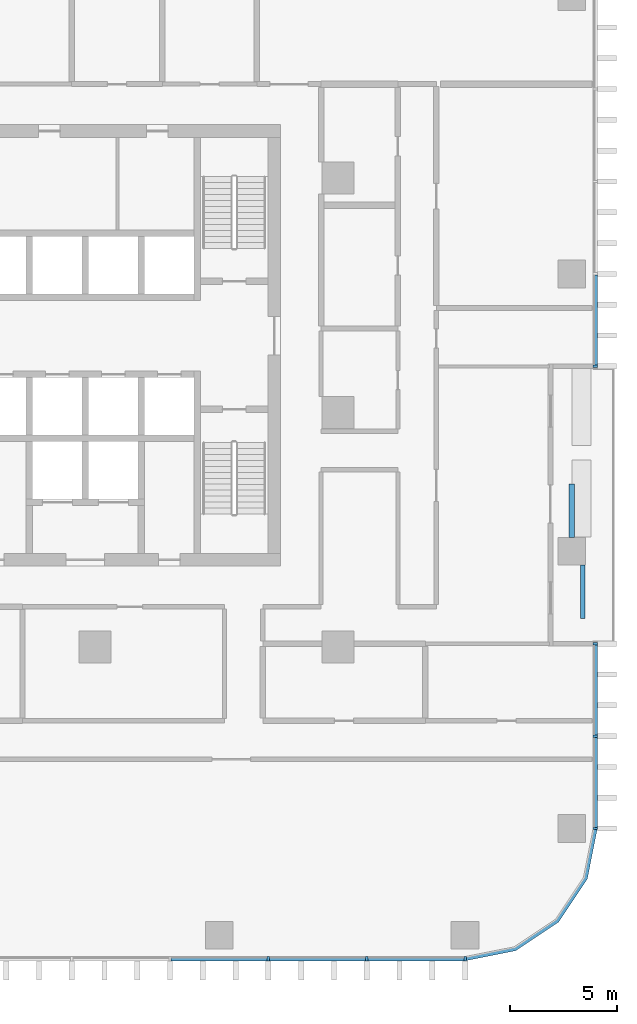
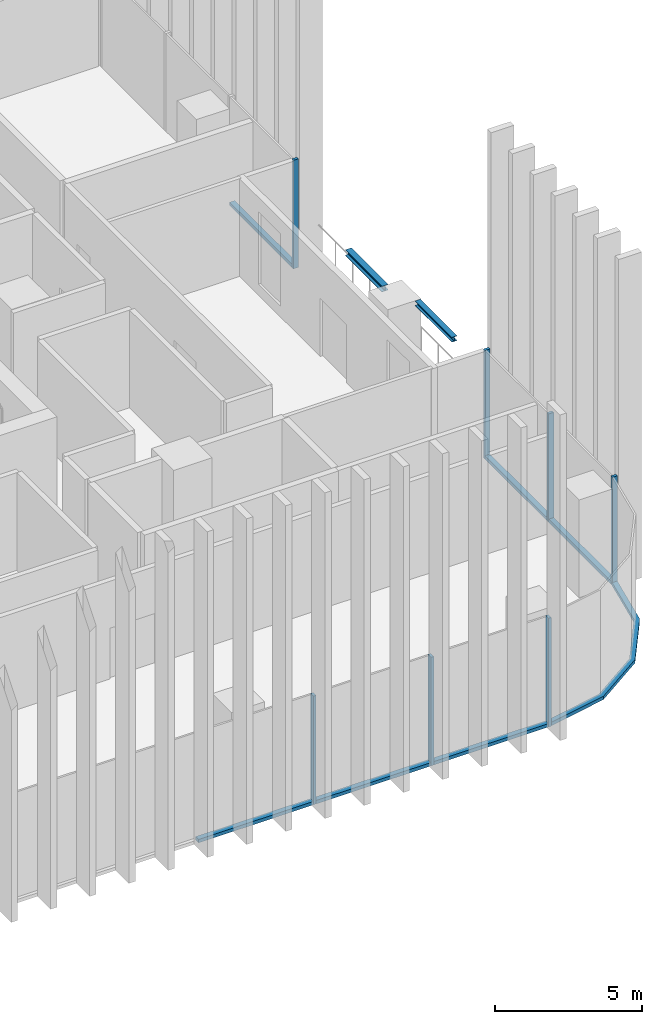
# One storey, part 3 of 17: 14 members, 2 beams, 4 elements without a shape of their own.
"""IFC4 building model written with IfcOpenShell, lengths in metres."""

from ifc_helpers import new_model, si_unit, direction, frame, origin, origin_2d, place, context, subcontext, project, spatial, polyline, rectangle, i_section, outline, extrude, material, material_profile, profile_set, type_object, element, aggregate, save


model = new_model("IFC4")

# Units and contexts
model_context = context("Model", 3, precision=1e-05, world=origin(), true_north=direction((0.0, 1.0)))
body_context = subcontext(model_context, "Body", "Model", "MODEL_VIEW")
ifc_project = project(units=[si_unit("LENGTHUNIT", "METRE"), si_unit("AREAUNIT", "SQUARE_METRE"), si_unit("VOLUMEUNIT", "CUBIC_METRE"), si_unit("PLANEANGLEUNIT", "RADIAN"), si_unit("MASSUNIT", "GRAM", prefix="KILO")], contexts=[model_context])

# Site, building, storey
site_placement = place(None, origin())
site = spatial("IfcSite", under=ifc_project, at=site_placement, CompositionType="ELEMENT")
building_placement = place(site_placement, origin())
building = spatial("IfcBuilding", under=site, at=building_placement, Name="Mopane Tessera Tower", CompositionType="ELEMENT")
storey_placement = place(building_placement, frame((0.0, 0.0, 121.60009765625)))
storey = spatial("IfcBuildingStorey", under=building, at=storey_placement, Name="L24", CompositionType="ELEMENT", Elevation=121.60009765625)

# Curtain wall, members
ifc_material_1 = material(Name="Aluminium frame", Category="aluminium")
curtain_wall_type = type_object("IfcCurtainWallType", Name="Lower tower unitised wall", PredefinedType="NOTDEFINED", material=ifc_material_1)
curtain_wall_1_placement = place(storey_placement, origin())
curtain_wall_1 = element("IfcCurtainWall", 1, at=curtain_wall_1_placement, inside=storey, type_object=curtain_wall_type, Name="e:cw:L24:S:4", PredefinedType="NOTDEFINED")
ifc_material_2 = material(Name="Aluminium frame", Category="aluminium")
ifc_material_profile_1 = material_profile(ifc_material_2, rectangle(XDim=0.110107421875, YDim=0.199951171875, at=origin_2d()))
ifc_profile_set_1 = profile_set([ifc_material_profile_1], Name="Aluminium frame")
member_type_1 = type_object("IfcMemberType", Name="Aluminium mullion 110 x 200", PredefinedType="MULLION", material=ifc_profile_set_1)
member_1_placement = place(storey_placement, frame((13.830078125, -25.60009765625, -0.4501953125), z_axis=(0.0, 0.0, 1.0), x_axis=(1.0, 0.0, 0.0)))
member_1 = element("IfcMember", 2, at=member_1_placement, type_object=member_type_1, Name="e:cw:L24:S:4:mu8", PredefinedType="MULLION", context=body_context, shape_type="SweptSolid", body=[
    extrude(rectangle(XDim=0.110107421875, YDim=0.199951171875, at=origin_2d()), origin(), (0.0, 0.0, 1.0), 4.5),
])
member_2_placement = place(storey_placement, frame((18.43994140625, -25.60009765625, -0.4501953125), z_axis=(0.0, 0.0, 1.0), x_axis=(1.0, 0.0, 0.0)))
member_2 = element("IfcMember", 3, at=member_2_placement, type_object=member_type_1, Name="e:cw:L24:S:4:mu9", PredefinedType="MULLION", context=body_context, shape_type="SweptSolid", body=[
    extrude(rectangle(XDim=0.110107421875, YDim=0.199951171875, at=origin_2d()), origin(), (0.0, 0.0, 1.0), 4.5),
])
member_3_placement = place(storey_placement, frame((23.050048828125, -25.60009765625, -0.4501953125), z_axis=(0.0, 0.0, 1.0), x_axis=(1.0, 0.0, 0.0)))
member_3 = element("IfcMember", 4, at=member_3_placement, type_object=member_type_1, Name="e:cw:L24:S:4:mu10", PredefinedType="MULLION", context=body_context, shape_type="SweptSolid", body=[
    extrude(rectangle(XDim=0.110107421875, YDim=0.199951171875, at=origin_2d()), origin(), (0.0, 0.0, 1.0), 4.5),
])

curtain_wall_2_placement = place(storey_placement, origin())
curtain_wall_2 = element("IfcCurtainWall", 5, at=curtain_wall_2_placement, inside=storey, type_object=curtain_wall_type, Name="e:cw:L24:E:0", PredefinedType="NOTDEFINED")
member_4_placement = place(storey_placement, frame((29.14990234375, -19.5, -0.4501953125), z_axis=(0.0, 0.0, 1.0), x_axis=(0.0, 1.0, 0.0)))
member_4 = element("IfcMember", 6, at=member_4_placement, type_object=member_type_1, Name="e:cw:L24:E:0:mu0", PredefinedType="MULLION", context=body_context, shape_type="SweptSolid", body=[
    extrude(rectangle(XDim=0.110107421875, YDim=0.199951171875, at=origin_2d()), origin(), (0.0, 0.0, 1.0), 4.5),
])
member_5_placement = place(storey_placement, frame((29.14990234375, -15.166748046875, -0.4501953125), z_axis=(0.0, 0.0, 1.0), x_axis=(0.0, 1.0, 0.0)))
member_5 = element("IfcMember", 7, at=member_5_placement, type_object=member_type_1, Name="e:cw:L24:E:0:mu1", PredefinedType="MULLION", context=body_context, shape_type="SweptSolid", body=[
    extrude(rectangle(XDim=0.110107421875, YDim=0.199951171875, at=origin_2d()), origin(), (0.0, 0.0, 1.0), 4.5),
])
member_6_placement = place(storey_placement, frame((29.14990234375, -10.833251953125, -0.4501953125), z_axis=(0.0, 0.0, 1.0), x_axis=(0.0, 1.0, 0.0)))
member_6 = element("IfcMember", 8, at=member_6_placement, type_object=member_type_1, Name="e:cw:L24:E:0:mu2", PredefinedType="MULLION", context=body_context, shape_type="SweptSolid", body=[
    extrude(rectangle(XDim=0.110107421875, YDim=0.199951171875, at=origin_2d()), origin(), (0.0, 0.0, 1.0), 4.5),
])

# Curtain wall, member
curtain_wall_3_placement = place(storey_placement, origin())
curtain_wall_3 = element("IfcCurtainWall", 9, at=curtain_wall_3_placement, inside=storey, type_object=curtain_wall_type, Name="e:cw:L24:E:5", PredefinedType="NOTDEFINED")
member_7_placement = place(storey_placement, frame((29.14990234375, 2.166748046875, -0.4501953125), z_axis=(0.0, 0.0, 1.0), x_axis=(0.0, 1.0, 0.0)))
member_7 = element("IfcMember", 10, at=member_7_placement, type_object=member_type_1, Name="e:cw:L24:E:5:mu5", PredefinedType="MULLION", context=body_context, shape_type="SweptSolid", body=[
    extrude(rectangle(XDim=0.110107421875, YDim=0.199951171875, at=origin_2d()), origin(), (0.0, 0.0, 1.0), 4.5),
])

# Member
ifc_material_3 = material(Name="Aluminium frame", Category="aluminium")
ifc_material_profile_2 = material_profile(ifc_material_3, rectangle(XDim=0.199951171875, YDim=0.139892578125, at=origin_2d()))
ifc_profile_set_2 = profile_set([ifc_material_profile_2], Name="Aluminium frame")
member_type_2 = type_object("IfcMemberType", Name="Aluminium transom 200 x 140", PredefinedType="USERDEFINED", material=ifc_profile_set_2)
member_8_placement = place(storey_placement, frame((9.27490234375, -25.60009765625, -0.380126953125), z_axis=(1.0, 0.0, 0.0), x_axis=(0.0, 1.0, 0.0)))
member_8 = element("IfcMember", 11, at=member_8_placement, type_object=member_type_2, Name="e:cw:L24:S:4:tr7", ObjectType="TRANSOM", PredefinedType="USERDEFINED", context=body_context, shape_type="SweptSolid", body=[
    extrude(rectangle(XDim=0.199951171875, YDim=0.139892578125, at=origin_2d()), origin(), (0.0, 0.0, 1.0), 4.5),
])

member_9_placement = place(storey_placement, frame((13.885009765625, -25.60009765625, -0.380126953125), z_axis=(1.0, 0.0, 0.0), x_axis=(0.0, 1.0, 0.0)))
member_9 = element("IfcMember", 12, at=member_9_placement, type_object=member_type_2, Name="e:cw:L24:S:4:tr8", ObjectType="TRANSOM", PredefinedType="USERDEFINED", context=body_context, shape_type="SweptSolid", body=[
    extrude(rectangle(XDim=0.199951171875, YDim=0.139892578125, at=origin_2d()), origin(), (0.0, 0.0, 1.0), 4.5),
])

member_10_placement = place(storey_placement, frame((18.4951171875, -25.60009765625, -0.380126953125), z_axis=(1.0, 0.0, 0.0), x_axis=(0.0, 1.0, 0.0)))
member_10 = element("IfcMember", 13, at=member_10_placement, type_object=member_type_2, Name="e:cw:L24:S:4:tr9", ObjectType="TRANSOM", PredefinedType="USERDEFINED", context=body_context, shape_type="SweptSolid", body=[
    extrude(rectangle(XDim=0.199951171875, YDim=0.139892578125, at=origin_2d()), origin(), (0.0, 0.0, 1.0), 4.5),
])

aggregate(curtain_wall_1, [member_1, member_2, member_3, member_8, member_9, member_10])

# Curtain wall, member
curtain_wall_4_placement = place(storey_placement, origin())
curtain_wall_4 = element("IfcCurtainWall", 14, at=curtain_wall_4_placement, inside=storey, type_object=curtain_wall_type, Name="e:cw:L24:CS", PredefinedType="NOTDEFINED")
member_11_placement = place(storey_placement, frame((0.0, 0.0, -0.4501953125)))
member_11 = element("IfcMember", 15, at=member_11_placement, type_object=member_type_2, Name="e:cw:L24:CS:tr", ObjectType="TRANSOM", PredefinedType="USERDEFINED", context=body_context, shape_type="SweptSolid", body=[
    extrude(outline(polyline([(23.050048828125, -25.5), (25.34619140625, -25.043212890625), (27.292724609375, -23.74267578125), (28.59326171875, -21.796142578125), (29.050048828125, -19.5), (29.25, -19.5), (28.778076171875, -21.87255859375), (27.43408203125, -23.884033203125), (25.422607421875, -25.22802734375), (23.050048828125, -25.699951171875), (23.050048828125, -25.5)])), origin(), (0.0, 0.0, 1.0), 0.14013671875),
])
aggregate(curtain_wall_4, [member_11])

# Member
member_12_placement = place(storey_placement, frame((29.14990234375, -19.445068359375, -0.380126953125), z_axis=(0.0, 1.0, 0.0), x_axis=(-1.0, 0.0, 0.0)))
member_12 = element("IfcMember", 16, at=member_12_placement, type_object=member_type_2, Name="e:cw:L24:E:0:tr0", ObjectType="TRANSOM", PredefinedType="USERDEFINED", context=body_context, shape_type="SweptSolid", body=[
    extrude(rectangle(XDim=0.199951171875, YDim=0.139892578125, at=origin_2d()), origin(), (0.0, 0.0, 1.0), 4.223388671875),
])

member_13_placement = place(storey_placement, frame((29.14990234375, -15.111572265625, -0.380126953125), z_axis=(0.0, 1.0, 0.0), x_axis=(-1.0, 0.0, 0.0)))
member_13 = element("IfcMember", 17, at=member_13_placement, type_object=member_type_2, Name="e:cw:L24:E:0:tr1", ObjectType="TRANSOM", PredefinedType="USERDEFINED", context=body_context, shape_type="SweptSolid", body=[
    extrude(rectangle(XDim=0.199951171875, YDim=0.139892578125, at=origin_2d()), origin(), (0.0, 0.0, 1.0), 4.22314453125),
])

aggregate(curtain_wall_2, [member_4, member_5, member_6, member_12, member_13])

member_14_placement = place(storey_placement, frame((29.14990234375, 2.2216796875, -0.380126953125), z_axis=(0.0, 1.0, 0.0), x_axis=(-1.0, 0.0, 0.0)))
member_14 = element("IfcMember", 18, at=member_14_placement, type_object=member_type_2, Name="e:cw:L24:E:5:tr5", ObjectType="TRANSOM", PredefinedType="USERDEFINED", context=body_context, shape_type="SweptSolid", body=[
    extrude(rectangle(XDim=0.199951171875, YDim=0.139892578125, at=origin_2d()), origin(), (0.0, 0.0, 1.0), 4.223388671875),
])

aggregate(curtain_wall_3, [member_7, member_14])

# Beams
ifc_material_4 = material(Name="Structural steel S460", Category="steel")
ifc_material_profile_3 = material_profile(ifc_material_4, i_section(OverallWidth=0.239990234375, OverallDepth=0.239990234375, WebThickness=0.010009765625, FlangeThickness=0.01708984375, FilletRadius=0.02099609375, at=origin_2d()))
ifc_profile_set_3 = profile_set([ifc_material_profile_3], Name="Structural steel S460")
beam_type_1 = type_object("IfcBeamType", Name="Terrace spandrel beam HE 240 B", PredefinedType="SPANDREL", material=ifc_profile_set_3)
beam_1_placement = place(storey_placement, frame((28.050048828125, -5.846923828125, 3.929931640625), z_axis=(0.0, 1.0, 0.0), x_axis=(-1.0, 0.0, 0.0)))
element("IfcBeam", 19, at=beam_1_placement, inside=storey, type_object=beam_type_1, Name="Terrace spandrel beam N3 L25", PredefinedType="SPANDREL", context=body_context, shape_type="SweptSolid", body=[
    extrude(i_section(OverallWidth=0.239990234375, OverallDepth=0.239990234375, WebThickness=0.010009765625, FlangeThickness=0.01708984375, FilletRadius=0.02099609375, at=origin_2d()), origin(), (0.0, 0.0, 1.0), 2.5),
])
ifc_material_5 = material(Name="Structural steel S460", Category="steel")
ifc_material_profile_4 = material_profile(ifc_material_5, i_section(OverallWidth=0.199951171875, OverallDepth=0.199951171875, WebThickness=0.009033203125, FlangeThickness=0.014892578125, FilletRadius=0.01806640625, at=origin_2d()))
ifc_profile_set_4 = profile_set([ifc_material_profile_4], Name="Structural steel S460")
beam_type_2 = type_object("IfcBeamType", Name="Terrace trimmer beam HE 200 B", PredefinedType="BEAM", material=ifc_profile_set_4)
beam_2_placement = place(storey_placement, frame((28.570068359375, -7.153076171875, 3.949951171875), z_axis=(0.0, -1.0, 0.0), x_axis=(1.0, 0.0, 0.0)))
element("IfcBeam", 20, at=beam_2_placement, inside=storey, type_object=beam_type_2, Name="Terrace trimmer beam N3 L25", PredefinedType="BEAM", context=body_context, shape_type="SweptSolid", body=[
    extrude(i_section(OverallWidth=0.199951171875, OverallDepth=0.199951171875, WebThickness=0.009033203125, FlangeThickness=0.014892578125, FilletRadius=0.01806640625, at=origin_2d()), origin(), (0.0, 0.0, 1.0), 2.5),
])

save(model, "model.ifc")
